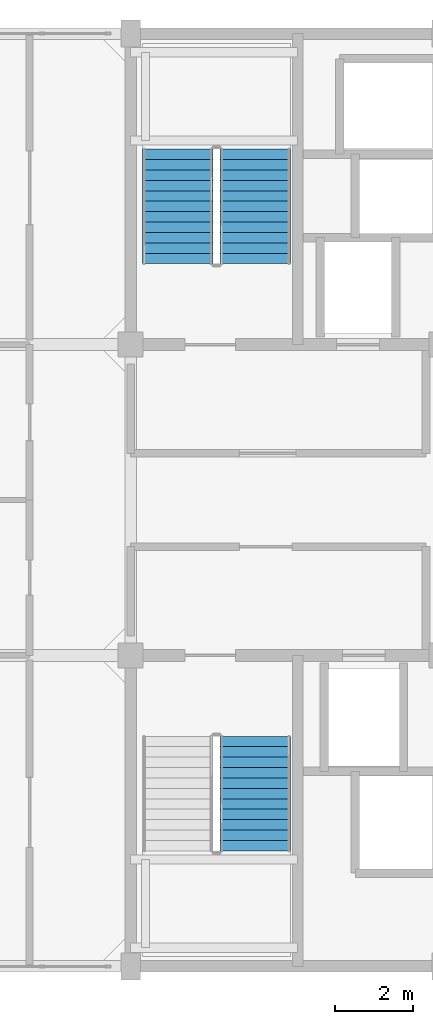
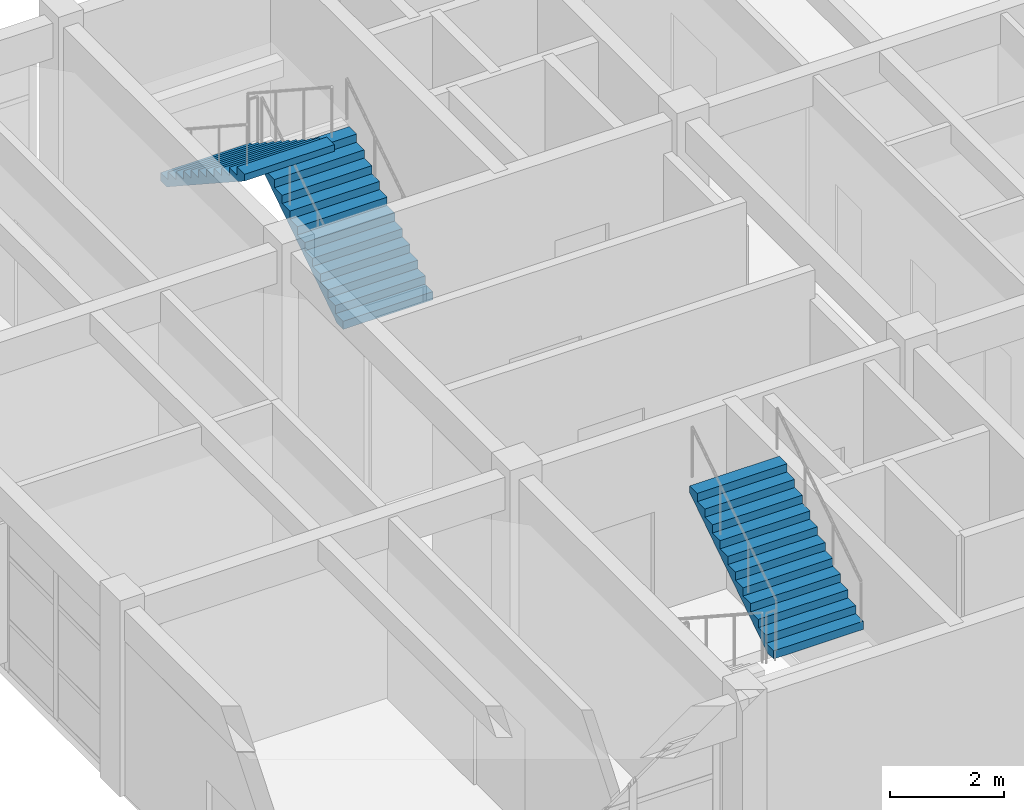
# One storey, part 16 of 18: 3 stair flights, 2 elements without a shape of their own.
"""IFC4 building model written with IfcOpenShell, lengths in metres."""

from ifc_helpers import new_model, si_unit, direction, frame, origin, place, context, subcontext, project, spatial, polyline, outline, extrude, material, type_object, element, aggregate, save


model = new_model("IFC4")

# Units and contexts
model_context = context("Model", 3, precision=1e-05, world=origin(), true_north=direction((0.0, 1.0)))
body_context = subcontext(model_context, "Body", "Model", "MODEL_VIEW")
ifc_project = project(units=[si_unit("LENGTHUNIT", "METRE"), si_unit("AREAUNIT", "SQUARE_METRE"), si_unit("VOLUMEUNIT", "CUBIC_METRE"), si_unit("PLANEANGLEUNIT", "RADIAN"), si_unit("MASSUNIT", "GRAM", prefix="KILO")], contexts=[model_context])

# Site, building, storey
site_placement = place(None, origin())
site = spatial("IfcSite", under=ifc_project, at=site_placement, CompositionType="ELEMENT")
building_placement = place(site_placement, origin())
building = spatial("IfcBuilding", under=site, at=building_placement, Name="Canggui Botanical Conservatory", CompositionType="ELEMENT")
storey_placement = place(building_placement, frame((0.0, 0.0, 61.199951171875)))
storey = spatial("IfcBuildingStorey", under=building, at=storey_placement, Name="L15", CompositionType="ELEMENT", Elevation=61.199951171875)

# Stair, stair flight
ifc_material = material(Name="Concrete C35", Category="concrete")
stair_type = type_object("IfcStairType", Name="STR-TYPE-6", PredefinedType="HALF_TURN_STAIR", material=ifc_material)
stair_1_placement = place(storey_placement, origin())
stair_1 = element("IfcStair", 1, at=stair_1_placement, inside=storey, type_object=stair_type, Name="L15 Tower South Smoke-Proof Stair ST-T1", PredefinedType="HALF_TURN_STAIR")
stair_flight_type = type_object("IfcStairFlightType", Name="SFL-TYPE-6", PredefinedType="STRAIGHT", material=ifc_material)
stair_flight_1_placement = place(storey_placement, frame((157.2099609375, 44.971923828125, 2.10009765625), z_axis=(0.0, 0.0, 1.0), x_axis=(0.0, 1.0, 0.0)))
stair_flight_1 = element("IfcStairFlight", 2, at=stair_flight_1_placement, type_object=stair_flight_type, Name="ST-T1 flight 2", NumberOfRisers=12, NumberOfTreads=11, PredefinedType="STRAIGHT", RiserHeight=0.175, TreadLength=0.268, context=body_context, shape_type="SweptSolid", body=[
    extrude(outline(polyline([(0.0, 0.0), (0.0, 0.175048828125), (0.26806640625, 0.175048828125), (0.26806640625, 0.35009765625), (0.535888671875, 0.35009765625), (0.535888671875, 0.52490234375), (0.803955078125, 0.52490234375), (0.803955078125, 0.699951171875), (1.072021484375, 0.699951171875), (1.072021484375, 0.875), (1.340087890625, 0.875), (1.340087890625, 1.050048828125), (1.60791015625, 1.050048828125), (1.60791015625, 1.22509765625), (1.8759765625, 1.22509765625), (1.8759765625, 1.39990234375), (2.14404296875, 1.39990234375), (2.14404296875, 1.574951171875), (2.412109375, 1.574951171875), (2.412109375, 1.75), (2.679931640625, 1.75), (2.679931640625, 1.925048828125), (2.947998046875, 1.925048828125), (2.947998046875, 2.10009765625), (2.947998046875, 1.781494140625), (0.2197265625, 0.0), (0.0, 0.0)])), frame((0.0, 0.91015625, 0.0), z_axis=(0.0, -1.0, 0.0), x_axis=(1.0, 0.0, 0.0)), (0.0, 0.0, 1.0), 1.820068359375),
])
aggregate(stair_1, [stair_flight_1])

# Stair, stair flights
stair_2_placement = place(storey_placement, origin())
stair_2 = element("IfcStair", 3, at=stair_2_placement, inside=storey, type_object=stair_type, Name="L15 Tower North Smoke-Proof Stair ST-T2", PredefinedType="HALF_TURN_STAIR")
stair_flight_2_placement = place(storey_placement, frame((157.2099609375, 60.080078125, 0.0), z_axis=(0.0, 0.0, 1.0), x_axis=(0.0, 1.0, 0.0)))
stair_flight_2 = element("IfcStairFlight", 4, at=stair_flight_2_placement, type_object=stair_flight_type, Name="ST-T2 flight 1", NumberOfRisers=12, NumberOfTreads=11, PredefinedType="STRAIGHT", RiserHeight=0.175, TreadLength=0.268, context=body_context, shape_type="SweptSolid", body=[
    extrude(outline(polyline([(0.0, 0.0), (0.0, 0.175048828125), (0.26806640625, 0.175048828125), (0.26806640625, 0.35009765625), (0.535888671875, 0.35009765625), (0.535888671875, 0.52490234375), (0.803955078125, 0.52490234375), (0.803955078125, 0.699951171875), (1.072021484375, 0.699951171875), (1.072021484375, 0.875), (1.340087890625, 0.875), (1.340087890625, 1.050048828125), (1.60791015625, 1.050048828125), (1.60791015625, 1.22509765625), (1.8759765625, 1.22509765625), (1.8759765625, 1.39990234375), (2.14404296875, 1.39990234375), (2.14404296875, 1.574951171875), (2.412109375, 1.574951171875), (2.412109375, 1.75), (2.679931640625, 1.75), (2.679931640625, 1.925048828125), (2.947998046875, 1.925048828125), (2.947998046875, 2.10009765625), (2.947998046875, 1.781494140625), (0.2197265625, 0.0), (0.0, 0.0)])), frame((0.0, 0.91015625, 0.0), z_axis=(0.0, -1.0, 0.0), x_axis=(1.0, 0.0, 0.0)), (0.0, 0.0, 1.0), 1.820068359375),
])
stair_flight_3_placement = place(storey_placement, frame((155.2099609375, 63.028076171875, 2.10009765625), z_axis=(0.0, 0.0, 1.0), x_axis=(0.0, -1.0, 0.0)))
stair_flight_3 = element("IfcStairFlight", 5, at=stair_flight_3_placement, type_object=stair_flight_type, Name="ST-T2 flight 2", NumberOfRisers=12, NumberOfTreads=11, PredefinedType="STRAIGHT", RiserHeight=0.175, TreadLength=0.268, context=body_context, shape_type="SweptSolid", body=[
    extrude(outline(polyline([(0.0, 0.0), (0.0, 0.175048828125), (0.26806640625, 0.175048828125), (0.26806640625, 0.35009765625), (0.535888671875, 0.35009765625), (0.535888671875, 0.52490234375), (0.803955078125, 0.52490234375), (0.803955078125, 0.699951171875), (1.072021484375, 0.699951171875), (1.072021484375, 0.875), (1.340087890625, 0.875), (1.340087890625, 1.050048828125), (1.60791015625, 1.050048828125), (1.60791015625, 1.22509765625), (1.8759765625, 1.22509765625), (1.8759765625, 1.39990234375), (2.14404296875, 1.39990234375), (2.14404296875, 1.574951171875), (2.412109375, 1.574951171875), (2.412109375, 1.75), (2.679931640625, 1.75), (2.679931640625, 1.925048828125), (2.947998046875, 1.925048828125), (2.947998046875, 2.10009765625), (2.947998046875, 1.781494140625), (0.2197265625, 0.0), (0.0, 0.0)])), frame((0.0, 0.91015625, 0.0), z_axis=(0.0, -1.0, 0.0), x_axis=(1.0, 0.0, 0.0)), (0.0, 0.0, 1.0), 1.820068359375),
])
aggregate(stair_2, [stair_flight_2, stair_flight_3])

save(model, "model.ifc")
